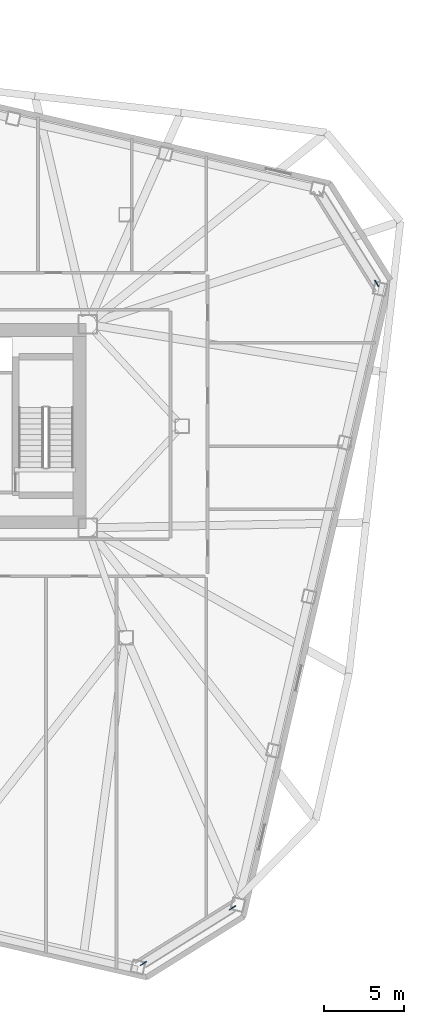
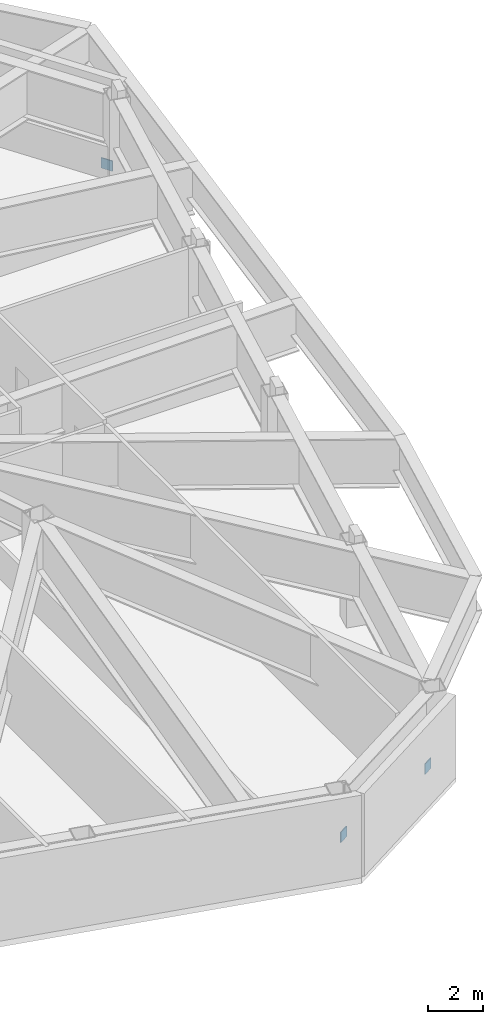
# One storey, part 17 of 19: 3 discrete accessories.
"""IFC4 building model written with IfcOpenShell, lengths in metres."""

import ifcopenshell
import ifcopenshell.guid

model = None  # the IFC model being written
_history = None  # IfcOwnerHistory: only IFC2X3 demands one
_inside = {}  # id of a spatial element -> (the spatial element, [elements in it])
_under = {}  # id of a project, library or spatial element -> (it, [spatial elements below it])
_declared = {}  # id of a project -> (the project, [libraries it declares])
_typed = {}  # id of a type object -> (the type object, [elements of that type])
_made_of = {}  # id of a material, layer set ... -> (it, [elements and type objects made of it])


def new_model(schema):
    """Start an empty IFC model of exactly this schema.

    Asked for "IFC4X3", IfcOpenShell would pick the latest addendum, in which some entities
    have other attributes; the version numbers below select the first issue.
    IFC2X3 requires an IfcOwnerHistory on every rooted entity: one is made here for all.
    """
    global model, _history
    if schema == "IFC4X3":
        model = ifcopenshell.file(schema_version=(4, 3, 0, 0))
    else:
        model = ifcopenshell.file(schema=schema)
    _inside.clear()
    _under.clear()
    _declared.clear()
    _typed.clear()
    _made_of.clear()
    _history = None
    if model.schema == "IFC2X3":
        org = make("IfcOrganization", Name="unknown")
        user = make(
            "IfcPersonAndOrganization",
            ThePerson=make("IfcPerson", FamilyName="unknown"),
            TheOrganization=org,
        )
        app = make(
            "IfcApplication",
            ApplicationDeveloper=org,
            Version="unknown",
            ApplicationFullName="unknown",
            ApplicationIdentifier="unknown",
        )
        _history = make(
            "IfcOwnerHistory",
            OwningUser=user,
            OwningApplication=app,
            ChangeAction="ADDED",
            CreationDate=0,
        )
    return model


def make(cls, **values):
    """One entity of the class cls with the attributes given. An attribute that is None is left unset."""
    return model.create_entity(
        cls, **{name: value for name, value in values.items() if value is not None}
    )


def rooted(cls, **values):
    """An entity with a GlobalId (a new one), such as an element, a storey or a relation."""
    return make(cls, GlobalId=ifcopenshell.guid.new(), OwnerHistory=_history, **values)


def si_unit(unit_type, name, prefix=None):
    """IfcSIUnit, for example si_unit("LENGTHUNIT", "METRE", prefix="MILLI")."""
    return make("IfcSIUnit", UnitType=unit_type, Prefix=prefix, Name=name)


def assignment(units):
    """IfcUnitAssignment: the units of a project."""
    return None if units is None else make("IfcUnitAssignment", Units=units)


def point(xyz):
    """IfcCartesianPoint."""
    return None if xyz is None else make("IfcCartesianPoint", Coordinates=xyz)


def direction(xyz):
    """IfcDirection."""
    return None if xyz is None else make("IfcDirection", DirectionRatios=xyz)


def frame(location, z_axis=None, x_axis=None):
    """IfcAxis2Placement3D, a coordinate frame: its origin and axes. An axis left out is left unset."""
    return make(
        "IfcAxis2Placement3D",
        Location=point(location),
        Axis=direction(z_axis),
        RefDirection=direction(x_axis),
    )


def frame_2d(location, x_axis=None):
    """IfcAxis2Placement2D, a coordinate frame in the plane: its origin and x axis."""
    return make(
        "IfcAxis2Placement2D", Location=point(location), RefDirection=direction(x_axis)
    )


def origin():
    """The frame at (0, 0, 0) with its axes left unset."""
    return frame((0.0, 0.0, 0.0))


def origin_2d():
    """The frame at (0, 0) in the plane with its x axis left unset."""
    return frame_2d((0.0, 0.0))


def place(relative_to, where):
    """IfcLocalPlacement: puts the frame where relative to a parent placement (None: the world)."""
    return make(
        "IfcLocalPlacement", PlacementRelTo=relative_to, RelativePlacement=where
    )


def context(
    kind, dimensions, precision=None, world=None, true_north=None, identifier=None
):
    """IfcGeometricRepresentationContext, for example the 3D "Model" context."""
    return make(
        "IfcGeometricRepresentationContext",
        ContextIdentifier=identifier,
        ContextType=kind,
        CoordinateSpaceDimension=dimensions,
        Precision=precision,
        WorldCoordinateSystem=world,
        TrueNorth=true_north,
    )


def subcontext(parent, identifier, kind, view, scale=None):
    """IfcGeometricRepresentationSubContext, for example "Body" below "Model"."""
    return make(
        "IfcGeometricRepresentationSubContext",
        ContextIdentifier=identifier,
        ContextType=kind,
        ParentContext=parent,
        TargetScale=scale,
        TargetView=view,
    )


def project(units=None, contexts=None):
    """IfcProject with its units and contexts."""
    return rooted(
        "IfcProject",
        Name="project",
        RepresentationContexts=contexts,
        UnitsInContext=assignment(units),
    )


def spatial(cls, under=None, at=None, **own):
    """A site, building, storey or space (cls), placed at a placement, below another one or the project."""
    s = rooted(cls, ObjectPlacement=at, **own)
    if under is not None:
        _under.setdefault(under.id(), (under, []))[1].append(s)
    return s


def profile(cls, at=None, kind="AREA", **sizes):
    """A parametric profile (cls). Its sizes go by their IFC names, for example OverallWidth=200.0."""
    return make(cls, ProfileType=kind, Position=at, **sizes)


def rectangle(**sizes):
    """IfcRectangleProfileDef."""
    return profile("IfcRectangleProfileDef", **sizes)


def extrude(swept, where, along, depth):
    """IfcExtrudedAreaSolid: the profile swept, set in the frame where, extruded along a direction by depth."""
    return make(
        "IfcExtrudedAreaSolid",
        SweptArea=swept,
        Position=where,
        ExtrudedDirection=direction(along),
        Depth=depth,
    )


def shape(context_of_items, identifier, shape_type, items):
    """IfcShapeRepresentation: the items that make up one representation, for example the "Body"."""
    return make(
        "IfcShapeRepresentation",
        ContextOfItems=context_of_items,
        RepresentationIdentifier=identifier,
        RepresentationType=shape_type,
        Items=items,
    )


def material(Name=None, Category=None):
    """IfcMaterial."""
    return make("IfcMaterial", Name=Name, Category=Category)


def made_of(thing, what):
    """Note that an element or type object is made of a material, layer set ...; save() writes the relation."""
    if what is not None:
        _made_of.setdefault(what.id(), (what, []))[1].append(thing)
    return thing


def type_object(cls, material=None, **own):
    """A type object (cls), such as IfcWallType, which elements share."""
    return made_of(rooted(cls, **own), material)


def element(
    cls,
    number,
    at=None,
    inside=None,
    cuts=None,
    type_object=None,
    material=None,
    context=None,
    identifier="Body",
    shape_type=None,
    held_by="IfcProductDefinitionShape",
    body=None,
    shapes=None,
    **own,
):
    """One element of the class cls, such as IfcWall. Its Tag is "e" and its number.

    at: its placement. inside: the storey or other place that contains it. cuts: it is an
    opening in that element (IfcRelVoidsElement). A single representation is given by context,
    identifier, shape_type and body (its items); several are given by shapes. held_by: the class
    of the entity that holds the representations. save() writes the other relations.
    """
    e = rooted(cls, Tag="e%d" % number, ObjectPlacement=at, **own)
    if body is not None:
        shapes = [shape(context, identifier, shape_type, body)]
    if shapes is not None:
        e.Representation = make(held_by, Representations=shapes)
    if inside is not None:
        _inside.setdefault(inside.id(), (inside, []))[1].append(e)
    if cuts is not None:
        rooted(
            "IfcRelVoidsElement", RelatingBuildingElement=cuts, RelatedOpeningElement=e
        )
    if type_object is not None:
        _typed.setdefault(type_object.id(), (type_object, []))[1].append(e)
    return made_of(e, material)


def aggregate(whole, parts):
    """IfcRelAggregates: a whole, such as a stair, and the parts it consists of."""
    return rooted("IfcRelAggregates", RelatingObject=whole, RelatedObjects=parts)


def save(model, path):
    """Write the relations noted so far, then the file.

    IfcRelAggregates (storeys below a building ...), IfcRelContainedInSpatialStructure (elements
    in a storey), IfcRelDefinesByType, IfcRelAssociatesMaterial and IfcRelDeclares: one each for
    every whole, place, type object, material and project.
    """
    for whole, parts in _under.values():
        aggregate(whole, parts)
    for where, things in _inside.values():
        rooted(
            "IfcRelContainedInSpatialStructure",
            RelatedElements=things,
            RelatingStructure=where,
        )
    for kind, things in _typed.values():
        rooted("IfcRelDefinesByType", RelatedObjects=things, RelatingType=kind)
    for what, things in _made_of.values():
        rooted("IfcRelAssociatesMaterial", RelatedObjects=things, RelatingMaterial=what)
    for by, libraries in _declared.values():
        rooted("IfcRelDeclares", RelatingContext=by, RelatedDefinitions=libraries)
    model.write(path)


model = new_model("IFC4")

# Units and contexts
model_context = context("Model", 3, precision=1e-05, world=origin(), true_north=direction((0.0, 1.0)))
body_context = subcontext(model_context, "Body", "Model", "MODEL_VIEW")
ifc_project = project(units=[si_unit("LENGTHUNIT", "METRE"), si_unit("AREAUNIT", "SQUARE_METRE"), si_unit("VOLUMEUNIT", "CUBIC_METRE"), si_unit("PLANEANGLEUNIT", "RADIAN"), si_unit("MASSUNIT", "GRAM", prefix="KILO")], contexts=[model_context])

# Site, building, storey
site_placement = place(None, origin())
site = spatial("IfcSite", under=ifc_project, at=site_placement, CompositionType="ELEMENT")
building_placement = place(site_placement, origin())
building = spatial("IfcBuilding", under=site, at=building_placement, Name="Tavrogorsk Clinical Tower", CompositionType="ELEMENT")
storey_placement = place(building_placement, frame((0.0, 0.0, 79.39990234375)))
storey = spatial("IfcBuildingStorey", under=building, at=storey_placement, Name="L17", CompositionType="ELEMENT", Elevation=79.39990234375)

# Discrete accessories
ifc_material = material(Name="Structural steel S440", Category="steel")
discrete_accessory_type = type_object("IfcDiscreteAccessoryType", Name="GussetPlateBracket_25", PredefinedType="BRACKET", material=ifc_material)
for number, where, z_axis, x_axis, name in (
    (1, (31.13427734375, -30.073486328125, 0.132080078125), (0.0, 0.0, 1.0), (-0.848048096156, -0.529919264233, 0.0), "L17 Brace Gusset Plate EXOCRN-L17-1-A"),
    (2, (25.581787109375, -33.54296875, 1.13818359375), (0.0, 0.0, 1.0), (-0.848048096156, -0.529919264233, 0.0), "L17 Brace Gusset Plate EXOCRN-L17-1-B"),
    (3, (40.134521484375, 8.911376953125, 0.132080078125), (0.0, 0.0, 1.0), (-0.529919264233, 0.848048096156, 0.0), "L17 Brace Gusset Plate EXOCRN-L17-2-A"),
):
    element("IfcDiscreteAccessory", number, at=place(storey_placement, frame(where, z_axis=z_axis, x_axis=x_axis)), inside=storey, type_object=discrete_accessory_type, Name=name, PredefinedType="BRACKET", context=body_context, shape_type="SweptSolid", body=[
        extrude(rectangle(XDim=0.4599609375, YDim=0.0400390625, at=origin_2d()), origin(), (0.0, 0.0, 1.0), 0.4599609375),
    ])

save(model, "model.ifc")
